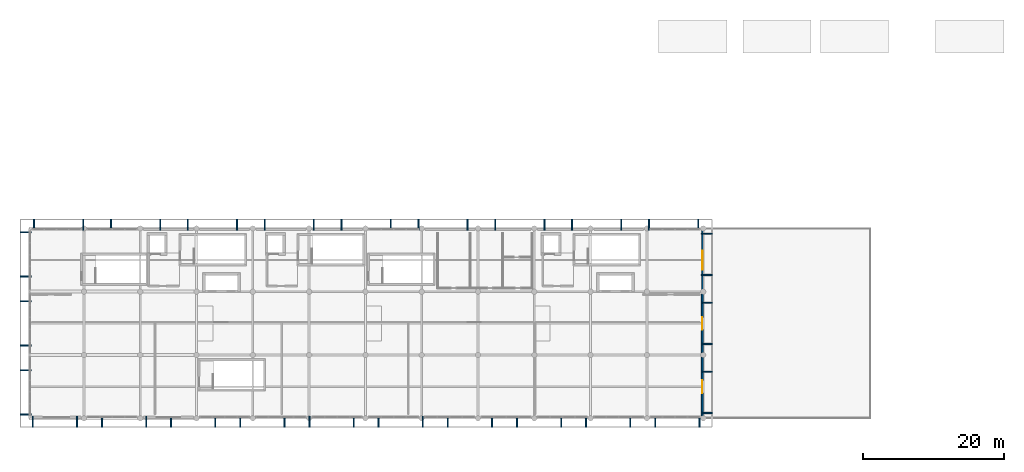
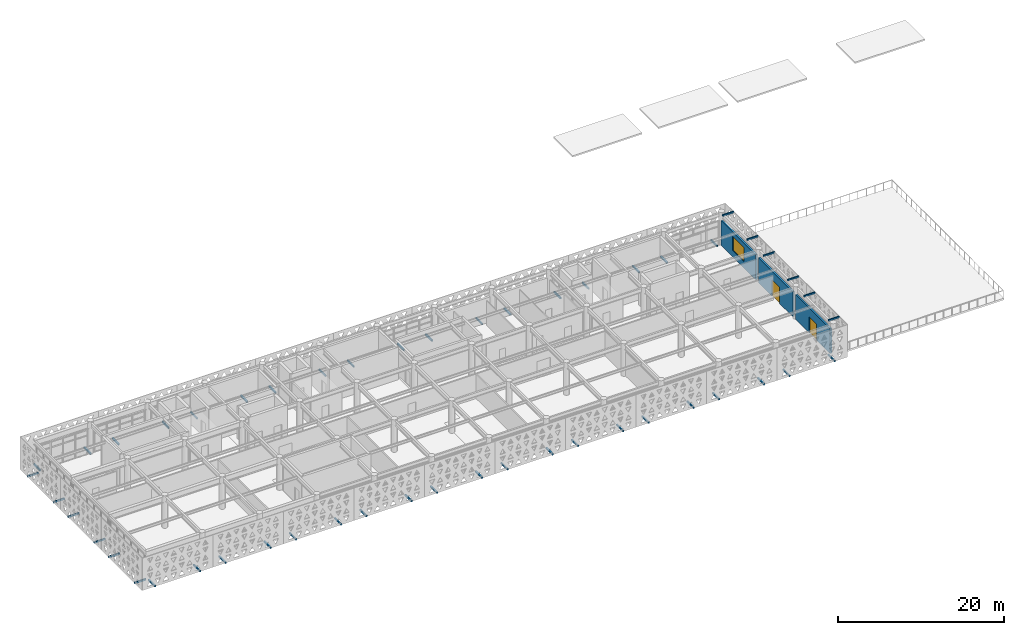
# One storey, part 21 of 26: 50 discrete accessories, 3 walls, 2 doors, 1 window, 3 openings.
"""IFC4 building model written with IfcOpenShell, lengths in metres."""

from ifc_helpers import new_model, si_unit, direction, frame, frame_2d, origin, origin_2d, place, context, subcontext, project, spatial, rectangle, extrude, material, layer, layer_set, type_object, element, fill, save


model = new_model("IFC4")

# Units and contexts
model_context = context("Model", 3, precision=1e-05, world=origin(), true_north=direction((0.0, 1.0)))
body_context = subcontext(model_context, "Body", "Model", "MODEL_VIEW")
ifc_project = project(units=[si_unit("LENGTHUNIT", "METRE"), si_unit("AREAUNIT", "SQUARE_METRE"), si_unit("VOLUMEUNIT", "CUBIC_METRE"), si_unit("PLANEANGLEUNIT", "RADIAN"), si_unit("MASSUNIT", "GRAM", prefix="KILO")], contexts=[model_context])

# Site, building, storey
site_placement = place(None, origin())
site = spatial("IfcSite", under=ifc_project, at=site_placement, CompositionType="ELEMENT")
building_placement = place(site_placement, origin())
building = spatial("IfcBuilding", under=site, at=building_placement, Name="Tlacozan Convention Centre", CompositionType="ELEMENT")
storey_placement = place(building_placement, frame((0.0, 0.0, 21.0)))
storey = spatial("IfcBuildingStorey", under=building, at=storey_placement, Name="L04", CompositionType="ELEMENT", Elevation=21.0)

# Wall, opening, door
ifc_material_1 = material(Name="Volcanic Cantera Stone Masonry", Category="masonry")
ifc_layer_1 = layer(ifc_material_1, 0.25)
ifc_layer_set_1 = layer_set([ifc_layer_1], Name="Volcanic Cantera Stone Masonry")
wall_type = type_object("IfcWallType", Name="Belvedere Terrace Facade Wall 250", PredefinedType="SOLIDWALL", material=ifc_layer_set_1)
wall_1_placement = place(storey_placement, frame((95.875, 0.340087890625, 0.0), z_axis=(0.0, 0.0, 1.0), x_axis=(0.0, 1.0, 0.0)))
wall_1 = element("IfcWall", 1, at=wall_1_placement, inside=storey, type_object=wall_type, Name="L04 Belvedere Terrace Facade Wall 250 148", PredefinedType="SOLIDWALL", context=body_context, shape_type="SweptSolid", body=[
    extrude(rectangle(XDim=8.31982421875, YDim=0.25, at=frame_2d((4.159912109375, 0.0))), origin(), (0.0, 0.0, 1.0), 3.679931640625),
])
opening_1_placement = place(wall_1_placement, frame((3.260009765625, 0.0, 0.0)))
opening_1 = element("IfcOpeningElement", 2, at=opening_1_placement, cuts=wall_1, Name="Opening ED-02", PredefinedType="OPENING", context=body_context, shape_type="SweptSolid", body=[
    extrude(rectangle(XDim=1.800048828125, YDim=2.39990234375, at=frame_2d((0.89990234375, 1.199951171875))), frame((0.0, 0.135009765625, 0.0), z_axis=(0.0, -1.0, 0.0), x_axis=(1.0, 0.0, 0.0)), (0.0, 0.0, 1.0), 0.27001953125),
])
ifc_material_2 = material(Name="Thermally Broken Anodised Aluminium Door", Category="aluminium")
door_type = type_object("IfcDoorType", Name="Belvedere Terrace Double Door 1800x2400", OperationType="DOUBLE_DOOR_SINGLE_SWING", PredefinedType="DOOR", material=ifc_material_2)
door_1_placement = place(opening_1_placement, frame((1.800048828125, 0.0, 0.0), z_axis=(0.0, 0.0, 1.0), x_axis=(-1.0, 0.0, 0.0)))
door_1 = element("IfcDoor", 3, at=door_1_placement, inside=storey, type_object=door_type, Name="Belvedere Terrace Door 0", OperationType="DOUBLE_DOOR_SINGLE_SWING", OverallHeight=2.39990234375, OverallWidth=1.800048828125, PredefinedType="DOOR", context=body_context, shape_type="SweptSolid", body=[
    extrude(rectangle(XDim=1.800048828125, YDim=2.39990234375, at=frame_2d((0.89990234375, 1.199951171875))), frame((0.0, 0.02490234375, 0.0), z_axis=(0.0, -1.0, 0.0), x_axis=(1.0, 0.0, 0.0)), (0.0, 0.0, 1.0), 0.050048828125),
])
fill(opening_1, door_1)

wall_2_placement = place(storey_placement, frame((95.875, 9.340087890625, 0.0), z_axis=(0.0, 0.0, 1.0), x_axis=(0.0, 1.0, 0.0)))
wall_2 = element("IfcWall", 4, at=wall_2_placement, inside=storey, type_object=wall_type, Name="L04 Belvedere Terrace Facade Wall 250 149", PredefinedType="SOLIDWALL", context=body_context, shape_type="SweptSolid", body=[
    extrude(rectangle(XDim=8.31982421875, YDim=0.25, at=frame_2d((4.159912109375, 0.0))), origin(), (0.0, 0.0, 1.0), 3.679931640625),
])
opening_2_placement = place(wall_2_placement, frame((3.260009765625, 0.0, 0.0)))
opening_2 = element("IfcOpeningElement", 5, at=opening_2_placement, cuts=wall_2, Name="Opening ED-02", PredefinedType="OPENING", context=body_context, shape_type="SweptSolid", body=[
    extrude(rectangle(XDim=1.800048828125, YDim=2.39990234375, at=frame_2d((0.89990234375, 1.199951171875))), frame((0.0, 0.135009765625, 0.0), z_axis=(0.0, -1.0, 0.0), x_axis=(1.0, 0.0, 0.0)), (0.0, 0.0, 1.0), 0.27001953125),
])
door_2_placement = place(opening_2_placement, frame((1.800048828125, 0.0, 0.0), z_axis=(0.0, 0.0, 1.0), x_axis=(-1.0, 0.0, 0.0)))
door_2 = element("IfcDoor", 6, at=door_2_placement, inside=storey, type_object=door_type, Name="Belvedere Terrace Door 9", OperationType="DOUBLE_DOOR_SINGLE_SWING", OverallHeight=2.39990234375, OverallWidth=1.800048828125, PredefinedType="DOOR", context=body_context, shape_type="SweptSolid", body=[
    extrude(rectangle(XDim=1.800048828125, YDim=2.39990234375, at=frame_2d((0.89990234375, 1.199951171875))), frame((0.0, 0.02490234375, 0.0), z_axis=(0.0, -1.0, 0.0), x_axis=(1.0, 0.0, 0.0)), (0.0, 0.0, 1.0), 0.050048828125),
])
fill(opening_2, door_2)

# Wall, opening, window
wall_3_placement = place(storey_placement, frame((95.875, 18.340087890625, 0.0), z_axis=(0.0, 0.0, 1.0), x_axis=(0.0, 1.0, 0.0)))
wall_3 = element("IfcWall", 7, at=wall_3_placement, inside=storey, type_object=wall_type, Name="L04 Belvedere Terrace Facade Wall 250 150", PredefinedType="SOLIDWALL", context=body_context, shape_type="SweptSolid", body=[
    extrude(rectangle(XDim=8.31982421875, YDim=0.25, at=frame_2d((4.159912109375, 0.0))), origin(), (0.0, 0.0, 1.0), 3.679931640625),
])
opening_3_placement = place(wall_3_placement, frame((2.81005859375, 0.0, 0.949951171875)))
opening_3 = element("IfcOpeningElement", 8, at=opening_3_placement, cuts=wall_3, Name="Opening WN-21", PredefinedType="OPENING", context=body_context, shape_type="SweptSolid", body=[
    extrude(rectangle(XDim=2.699951171875, YDim=2.050048828125, at=frame_2d((1.35009765625, 1.02490234375))), frame((0.0, 0.135009765625, 0.0), z_axis=(0.0, -1.0, 0.0), x_axis=(1.0, 0.0, 0.0)), (0.0, 0.0, 1.0), 0.27001953125),
])
ifc_material_3 = material(Name="Solar Control Double Low-E Argon Glazing", Category="glass")
window_type = type_object("IfcWindowType", Name="VIP Belvedere Window 2700x2050", PartitioningType="SINGLE_PANEL", PredefinedType="WINDOW", material=ifc_material_3)
window_placement = place(opening_3_placement, origin())
window = element("IfcWindow", 9, at=window_placement, inside=storey, type_object=window_type, Name="L04 VIP Belvedere Window 2700x2050 53", OverallHeight=2.050048828125, OverallWidth=2.699951171875, PartitioningType="SINGLE_PANEL", PredefinedType="WINDOW", context=body_context, shape_type="SweptSolid", body=[
    extrude(rectangle(XDim=2.699951171875, YDim=2.050048828125, at=frame_2d((1.35009765625, 1.02490234375))), frame((0.0, 0.030029296875, 0.0), z_axis=(0.0, -1.0, 0.0), x_axis=(1.0, 0.0, 0.0)), (0.0, 0.0, 1.0), 0.06005859375),
])
fill(opening_3, window)

# Discrete accessories
ifc_material_4 = material(Name="Steel ASTM A572 Grade 50", Category="steel")
ifc_layer_2 = layer(ifc_material_4, 0.179931640625)
ifc_layer_set_2 = layer_set([ifc_layer_2], Name="Steel ASTM A572 Grade 50")
discrete_accessory_type = type_object("IfcDiscreteAccessoryType", Name="Screen Steel Outrigger Bracket", PredefinedType="BRACKET", material=ifc_layer_set_2)
for number, where, z_axis, x_axis, name in (
    (10, (0.720703125, -0.5048828125, -0.10986328125), (0.0, 0.0, 1.0), (0.0, 1.0, 0.0), "L04 Screen Outrigger Bracket 153"),
    (11, (7.00927734375, -0.5048828125, -0.10986328125), (0.0, 0.0, 1.0), (0.0, 1.0, 0.0), "L04 Screen Outrigger Bracket 154"),
    (12, (10.55078125, -0.5048828125, -0.10986328125), (0.0, 0.0, 1.0), (0.0, 1.0, 0.0), "L04 Screen Outrigger Bracket 155"),
    (13, (16.83935546875, -0.5048828125, -0.10986328125), (0.0, 0.0, 1.0), (0.0, 1.0, 0.0), "L04 Screen Outrigger Bracket 156"),
    (14, (20.380615234375, -0.5048828125, -0.10986328125), (0.0, 0.0, 1.0), (0.0, 1.0, 0.0), "L04 Screen Outrigger Bracket 157"),
    (15, (26.669189453125, -0.5048828125, -0.10986328125), (0.0, 0.0, 1.0), (0.0, 1.0, 0.0), "L04 Screen Outrigger Bracket 158"),
    (16, (30.210693359375, -0.5048828125, -0.10986328125), (0.0, 0.0, 1.0), (0.0, 1.0, 0.0), "L04 Screen Outrigger Bracket 159"),
    (17, (36.499267578125, -0.5048828125, -0.10986328125), (0.0, 0.0, 1.0), (0.0, 1.0, 0.0), "L04 Screen Outrigger Bracket 160"),
    (18, (40.040771484375, -0.5048828125, -0.10986328125), (0.0, 0.0, 1.0), (0.0, 1.0, 0.0), "L04 Screen Outrigger Bracket 161"),
    (19, (46.329345703125, -0.5048828125, -0.10986328125), (0.0, 0.0, 1.0), (0.0, 1.0, 0.0), "L04 Screen Outrigger Bracket 162"),
    (20, (49.87060546875, -0.5048828125, -0.10986328125), (0.0, 0.0, 1.0), (0.0, 1.0, 0.0), "L04 Screen Outrigger Bracket 163"),
    (21, (56.1591796875, -0.5048828125, -0.10986328125), (0.0, 0.0, 1.0), (0.0, 1.0, 0.0), "L04 Screen Outrigger Bracket 164"),
    (22, (59.70068359375, -0.5048828125, -0.10986328125), (0.0, 0.0, 1.0), (0.0, 1.0, 0.0), "L04 Screen Outrigger Bracket 165"),
    (23, (65.9892578125, -0.5048828125, -0.10986328125), (0.0, 0.0, 1.0), (0.0, 1.0, 0.0), "L04 Screen Outrigger Bracket 166"),
    (24, (69.53076171875, -0.5048828125, -0.10986328125), (0.0, 0.0, 1.0), (0.0, 1.0, 0.0), "L04 Screen Outrigger Bracket 167"),
    (25, (75.8193359375, -0.5048828125, -0.10986328125), (0.0, 0.0, 1.0), (0.0, 1.0, 0.0), "L04 Screen Outrigger Bracket 168"),
    (26, (79.360595703125, -0.5048828125, -0.10986328125), (0.0, 0.0, 1.0), (0.0, 1.0, 0.0), "L04 Screen Outrigger Bracket 169"),
    (27, (85.6494140625, -0.5048828125, -0.10986328125), (0.0, 0.0, 1.0), (0.0, 1.0, 0.0), "L04 Screen Outrigger Bracket 170"),
    (28, (89.190673828125, -0.5048828125, -0.10986328125), (0.0, 0.0, 1.0), (0.0, 1.0, 0.0), "L04 Screen Outrigger Bracket 171"),
    (29, (95.479248046875, -0.5048828125, -0.10986328125), (0.0, 0.0, 1.0), (0.0, 1.0, 0.0), "L04 Screen Outrigger Bracket 172"),
    (30, (-0.304931640625, 0.55908203125, -0.10986328125), (0.0, 0.0, 1.0), (1.0, 0.0, 0.0), "L04 Screen Outrigger Bracket 173"),
    (31, (-0.304931640625, 6.83154296875, -0.10986328125), (0.0, 0.0, 1.0), (1.0, 0.0, 0.0), "L04 Screen Outrigger Bracket 174"),
    (32, (-0.304931640625, 10.36376953125, -0.10986328125), (0.0, 0.0, 1.0), (1.0, 0.0, 0.0), "L04 Screen Outrigger Bracket 175"),
    (33, (-0.304931640625, 16.63623046875, -0.10986328125), (0.0, 0.0, 1.0), (1.0, 0.0, 0.0), "L04 Screen Outrigger Bracket 176"),
    (34, (-0.304931640625, 20.16845703125, -0.10986328125), (0.0, 0.0, 1.0), (1.0, 0.0, 0.0), "L04 Screen Outrigger Bracket 177"),
    (35, (-0.304931640625, 26.44091796875, -0.10986328125), (0.0, 0.0, 1.0), (1.0, 0.0, 0.0), "L04 Screen Outrigger Bracket 178"),
):
    element("IfcDiscreteAccessory", number, at=place(storey_placement, frame(where, z_axis=z_axis, x_axis=x_axis)), inside=storey, type_object=discrete_accessory_type, Name=name, PredefinedType="BRACKET", context=body_context, shape_type="SweptSolid", body=[
        extrude(rectangle(XDim=1.570068359375, YDim=0.179931640625, at=origin_2d()), origin(), (0.0, 0.0, 1.0), 0.239990234375),
    ])
for number, where, z_axis, x_axis, name in (
    (36, (96.5048828125, 0.75390625, 4.56982421875), (0.0, 0.0, 1.0), (-1.0, 0.0, 0.0), "L04 Screen Outrigger Bracket 179"),
    (37, (96.5048828125, 6.63671875, 4.56982421875), (0.0, 0.0, 1.0), (-1.0, 0.0, 0.0), "L04 Screen Outrigger Bracket 180"),
    (38, (96.5048828125, 10.55859375, 4.56982421875), (0.0, 0.0, 1.0), (-1.0, 0.0, 0.0), "L04 Screen Outrigger Bracket 181"),
    (39, (96.5048828125, 16.44140625, 4.56982421875), (0.0, 0.0, 1.0), (-1.0, 0.0, 0.0), "L04 Screen Outrigger Bracket 182"),
    (40, (96.5048828125, 20.36328125, 4.56982421875), (0.0, 0.0, 1.0), (-1.0, 0.0, 0.0), "L04 Screen Outrigger Bracket 183"),
    (41, (96.5048828125, 26.24609375, 4.56982421875), (0.0, 0.0, 1.0), (-1.0, 0.0, 0.0), "L04 Screen Outrigger Bracket 184"),
):
    element("IfcDiscreteAccessory", number, at=place(storey_placement, frame(where, z_axis=z_axis, x_axis=x_axis)), inside=storey, type_object=discrete_accessory_type, Name=name, PredefinedType="BRACKET", context=body_context, shape_type="SweptSolid", body=[
        extrude(rectangle(XDim=1.570068359375, YDim=0.179931640625, at=origin_2d()), origin(), (0.0, 0.0, 1.0), 0.219970703125),
    ])
for number, where, z_axis, x_axis, name in (
    (42, (0.917236328125, 27.5048828125, -0.10986328125), (0.0, 0.0, 1.0), (0.0, -1.0, 0.0), "L04 Screen Outrigger Bracket 185"),
    (43, (7.90478515625, 27.5048828125, -0.10986328125), (0.0, 0.0, 1.0), (0.0, -1.0, 0.0), "L04 Screen Outrigger Bracket 186"),
    (44, (11.839599609375, 27.5048828125, -0.10986328125), (0.0, 0.0, 1.0), (0.0, -1.0, 0.0), "L04 Screen Outrigger Bracket 187"),
    (45, (18.8271484375, 27.5048828125, -0.10986328125), (0.0, 0.0, 1.0), (0.0, -1.0, 0.0), "L04 Screen Outrigger Bracket 188"),
    (46, (22.76171875, 27.5048828125, -0.10986328125), (0.0, 0.0, 1.0), (0.0, -1.0, 0.0), "L04 Screen Outrigger Bracket 189"),
    (47, (29.74951171875, 27.5048828125, -0.10986328125), (0.0, 0.0, 1.0), (0.0, -1.0, 0.0), "L04 Screen Outrigger Bracket 190"),
    (48, (33.683837890625, 27.5048828125, -0.10986328125), (0.0, 0.0, 1.0), (0.0, -1.0, 0.0), "L04 Screen Outrigger Bracket 191"),
    (49, (40.671630859375, 27.5048828125, -0.10986328125), (0.0, 0.0, 1.0), (0.0, -1.0, 0.0), "L04 Screen Outrigger Bracket 192"),
    (50, (44.606201171875, 27.5048828125, -0.10986328125), (0.0, 0.0, 1.0), (0.0, -1.0, 0.0), "L04 Screen Outrigger Bracket 193"),
    (51, (51.59375, 27.5048828125, -0.10986328125), (0.0, 0.0, 1.0), (0.0, -1.0, 0.0), "L04 Screen Outrigger Bracket 194"),
    (52, (55.5283203125, 27.5048828125, -0.10986328125), (0.0, 0.0, 1.0), (0.0, -1.0, 0.0), "L04 Screen Outrigger Bracket 195"),
    (53, (62.51611328125, 27.5048828125, -0.10986328125), (0.0, 0.0, 1.0), (0.0, -1.0, 0.0), "L04 Screen Outrigger Bracket 196"),
    (54, (66.45068359375, 27.5048828125, -0.10986328125), (0.0, 0.0, 1.0), (0.0, -1.0, 0.0), "L04 Screen Outrigger Bracket 197"),
    (55, (73.438232421875, 27.5048828125, -0.10986328125), (0.0, 0.0, 1.0), (0.0, -1.0, 0.0), "L04 Screen Outrigger Bracket 198"),
    (56, (77.372802734375, 27.5048828125, -0.10986328125), (0.0, 0.0, 1.0), (0.0, -1.0, 0.0), "L04 Screen Outrigger Bracket 199"),
    (57, (84.360595703125, 27.5048828125, -0.10986328125), (0.0, 0.0, 1.0), (0.0, -1.0, 0.0), "L04 Screen Outrigger Bracket 200"),
    (58, (88.295166015625, 27.5048828125, -0.10986328125), (0.0, 0.0, 1.0), (0.0, -1.0, 0.0), "L04 Screen Outrigger Bracket 201"),
    (59, (95.28271484375, 27.5048828125, -0.10986328125), (0.0, 0.0, 1.0), (0.0, -1.0, 0.0), "L04 Screen Outrigger Bracket 202"),
):
    element("IfcDiscreteAccessory", number, at=place(storey_placement, frame(where, z_axis=z_axis, x_axis=x_axis)), inside=storey, type_object=discrete_accessory_type, Name=name, PredefinedType="BRACKET", context=body_context, shape_type="SweptSolid", body=[
        extrude(rectangle(XDim=1.570068359375, YDim=0.179931640625, at=origin_2d()), origin(), (0.0, 0.0, 1.0), 0.239990234375),
    ])

save(model, "model.ifc")
